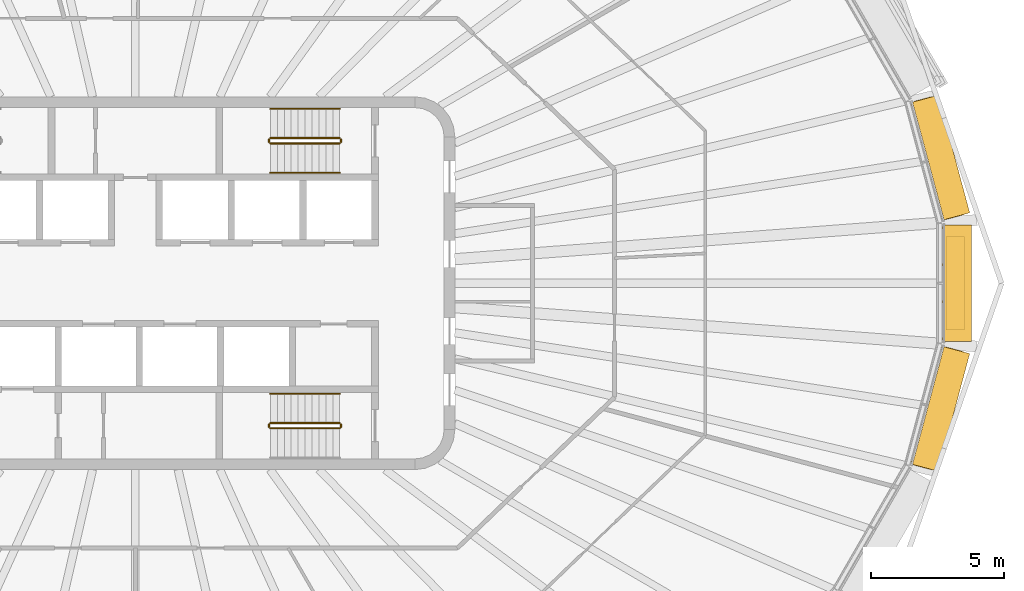
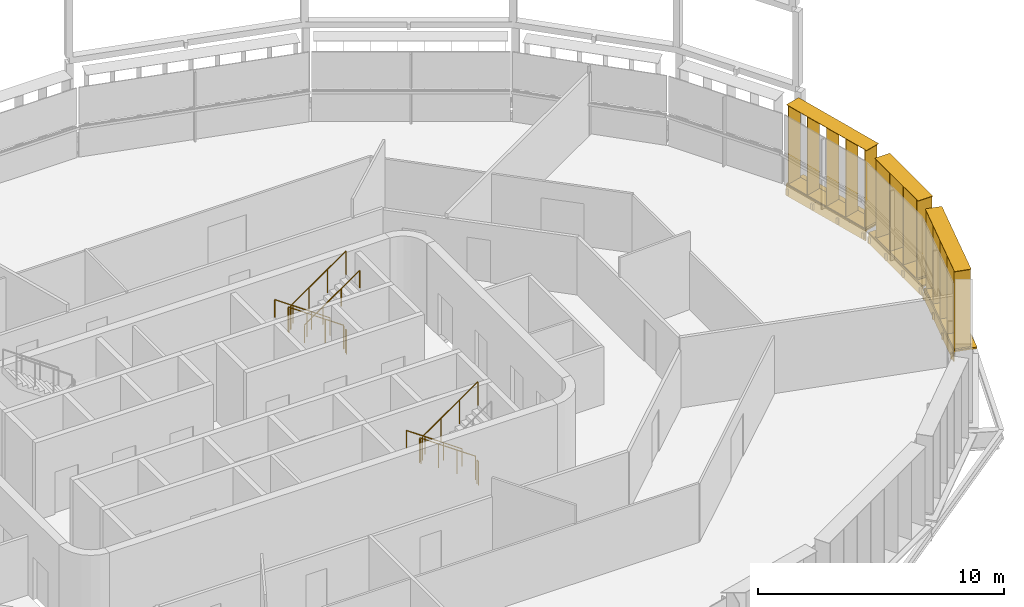
# One storey, part 18 of 20: 11 railings, 6 shading devices.
"""IFC4 building model written with IfcOpenShell, lengths in metres."""

from ifc_helpers import new_model, si_unit, direction, frame, origin, origin_2d, place, context, subcontext, project, spatial, rectangle, circle, extrude, material, type_object, element, save


model = new_model("IFC4")

# Units and contexts
model_context = context("Model", 3, precision=1e-05, world=origin(), true_north=direction((0.0, 1.0)))
body_context = subcontext(model_context, "Body", "Model", "MODEL_VIEW")
ifc_project = project(units=[si_unit("LENGTHUNIT", "METRE"), si_unit("AREAUNIT", "SQUARE_METRE"), si_unit("VOLUMEUNIT", "CUBIC_METRE"), si_unit("PLANEANGLEUNIT", "RADIAN"), si_unit("MASSUNIT", "GRAM", prefix="KILO")], contexts=[model_context])

# Site, building, storey
site_placement = place(None, origin())
site = spatial("IfcSite", under=ifc_project, at=site_placement, CompositionType="ELEMENT")
building_placement = place(site_placement, origin())
building = spatial("IfcBuilding", under=site, at=building_placement, Name="Sahrelin Media Tower", CompositionType="ELEMENT")
storey_placement = place(building_placement, frame((0.0, 0.0, 255.0)))
storey = spatial("IfcBuildingStorey", under=building, at=storey_placement, Name="L55", CompositionType="ELEMENT", Elevation=255.0)

# Shading devices
ifc_material_1 = material(Name="Champagne anodised aluminium 6063-T6", Category="aluminium")
shading_device_type_1 = type_object("IfcShadingDeviceType", Name="Fin cassette", PredefinedType="USERDEFINED", material=ifc_material_1)
placement_1 = place(storey_placement, frame((30.376953125, 0.0, 0.0), z_axis=(0.0, 0.0, 1.0), x_axis=(0.0, -1.0, 0.0)))
element("IfcShadingDevice", 1, at=placement_1, inside=storey, type_object=shading_device_type_1, Name="L55:FIN:L55-00", ObjectType="FIN", PredefinedType="USERDEFINED", context=body_context, shape_type="SweptSolid", body=[
    extrude(rectangle(XDim=3.5, YDim=0.699951171875, at=origin_2d()), frame((0.0, 0.419921875, 0.0)), (0.0, 0.0, 1.0), 0.02001953125),
    extrude(rectangle(XDim=3.5, YDim=0.699951171875, at=origin_2d()), frame((0.0, 0.419921875, 3.89990234375)), (0.0, 0.0, 1.0), 0.02001953125),
    extrude(rectangle(XDim=0.02001953125, YDim=0.699951171875, at=origin_2d()), frame((-1.64990234375, 0.419921875, 0.010009765625), z_axis=(0.0, 0.0, 1.0), x_axis=(1.0, 0.0, 0.0)), (0.0, 0.0, 1.0), 3.89990234375),
    extrude(rectangle(XDim=0.02001953125, YDim=0.699951171875, at=origin_2d()), frame((-0.550048828125, 0.419921875, 0.010009765625), z_axis=(0.0, 0.0, 1.0), x_axis=(1.0, 0.0, 0.0)), (0.0, 0.0, 1.0), 3.89990234375),
    extrude(rectangle(XDim=0.02001953125, YDim=0.699951171875, at=origin_2d()), frame((0.550048828125, 0.419921875, 0.010009765625), z_axis=(0.0, 0.0, 1.0), x_axis=(1.0, 0.0, 0.0)), (0.0, 0.0, 1.0), 3.89990234375),
    extrude(rectangle(XDim=0.02001953125, YDim=0.699951171875, at=origin_2d()), frame((1.64990234375, 0.419921875, 0.010009765625), z_axis=(0.0, 0.0, 1.0), x_axis=(1.0, 0.0, 0.0)), (0.0, 0.0, 1.0), 3.89990234375),
])
placement_2 = place(storey_placement, frame((29.759033203125, 4.588623046875, 0.0), z_axis=(0.0, 0.0, 1.0), x_axis=(0.258807731996, -0.965928857556, 0.0)))
element("IfcShadingDevice", 2, at=placement_2, inside=storey, type_object=shading_device_type_1, Name="L55:FIN:L55-01", ObjectType="FIN", PredefinedType="USERDEFINED", context=body_context, shape_type="SweptSolid", body=[
    extrude(rectangle(XDim=4.60009765625, YDim=0.699951171875, at=origin_2d()), frame((0.0, 0.419921875, 0.0)), (0.0, 0.0, 1.0), 0.02001953125),
    extrude(rectangle(XDim=4.60009765625, YDim=0.699951171875, at=origin_2d()), frame((0.0, 0.419921875, 3.89990234375)), (0.0, 0.0, 1.0), 0.02001953125),
    extrude(rectangle(XDim=0.02001953125, YDim=0.699951171875, at=origin_2d()), frame((-2.199951171875, 0.419921875, 0.010009765625), z_axis=(0.0, 0.0, 1.0), x_axis=(1.0, 0.0, 0.0)), (0.0, 0.0, 1.0), 3.89990234375),
    extrude(rectangle(XDim=0.02001953125, YDim=0.699951171875, at=origin_2d()), frame((-1.10009765625, 0.419921875, 0.010009765625), z_axis=(0.0, 0.0, 1.0), x_axis=(1.0, 0.0, 0.0)), (0.0, 0.0, 1.0), 3.89990234375),
    extrude(rectangle(XDim=0.02001953125, YDim=0.699951171875, at=origin_2d()), frame((0.0, 0.419921875, 0.010009765625), z_axis=(0.0, 0.0, 1.0), x_axis=(1.0, 0.0, 0.0)), (0.0, 0.0, 1.0), 3.89990234375),
    extrude(rectangle(XDim=0.02001953125, YDim=0.699951171875, at=origin_2d()), frame((1.10009765625, 0.419921875, 0.010009765625), z_axis=(0.0, 0.0, 1.0), x_axis=(1.0, 0.0, 0.0)), (0.0, 0.0, 1.0), 3.89990234375),
    extrude(rectangle(XDim=0.02001953125, YDim=0.699951171875, at=origin_2d()), frame((2.199951171875, 0.419921875, 0.010009765625), z_axis=(0.0, 0.0, 1.0), x_axis=(1.0, 0.0, 0.0)), (0.0, 0.0, 1.0), 3.89990234375),
])
placement_3 = place(storey_placement, frame((29.759033203125, -4.588623046875, 0.0), z_axis=(0.0, 0.0, 1.0), x_axis=(-0.258807731996, -0.965928857556, 0.0)))
element("IfcShadingDevice", 3, at=placement_3, inside=storey, type_object=shading_device_type_1, Name="L55:FIN:L55-23", ObjectType="FIN", PredefinedType="USERDEFINED", context=body_context, shape_type="SweptSolid", body=[
    extrude(rectangle(XDim=4.60009765625, YDim=0.699951171875, at=origin_2d()), frame((0.0, 0.419921875, 0.0)), (0.0, 0.0, 1.0), 0.02001953125),
    extrude(rectangle(XDim=4.60009765625, YDim=0.699951171875, at=origin_2d()), frame((0.0, 0.419921875, 3.89990234375)), (0.0, 0.0, 1.0), 0.02001953125),
    extrude(rectangle(XDim=0.02001953125, YDim=0.699951171875, at=origin_2d()), frame((-2.199951171875, 0.419921875, 0.010009765625), z_axis=(0.0, 0.0, 1.0), x_axis=(1.0, 0.0, 0.0)), (0.0, 0.0, 1.0), 3.89990234375),
    extrude(rectangle(XDim=0.02001953125, YDim=0.699951171875, at=origin_2d()), frame((-1.10009765625, 0.419921875, 0.010009765625), z_axis=(0.0, 0.0, 1.0), x_axis=(1.0, 0.0, 0.0)), (0.0, 0.0, 1.0), 3.89990234375),
    extrude(rectangle(XDim=0.02001953125, YDim=0.699951171875, at=origin_2d()), frame((0.0, 0.419921875, 0.010009765625), z_axis=(0.0, 0.0, 1.0), x_axis=(1.0, 0.0, 0.0)), (0.0, 0.0, 1.0), 3.89990234375),
    extrude(rectangle(XDim=0.02001953125, YDim=0.699951171875, at=origin_2d()), frame((1.10009765625, 0.419921875, 0.010009765625), z_axis=(0.0, 0.0, 1.0), x_axis=(1.0, 0.0, 0.0)), (0.0, 0.0, 1.0), 3.89990234375),
    extrude(rectangle(XDim=0.02001953125, YDim=0.699951171875, at=origin_2d()), frame((2.199951171875, 0.419921875, 0.010009765625), z_axis=(0.0, 0.0, 1.0), x_axis=(1.0, 0.0, 0.0)), (0.0, 0.0, 1.0), 3.89990234375),
])

# Railings
ifc_material_2 = material(Name="Steel S355", Category="steel")
railing_type_1 = type_object("IfcRailingType", Name="Stair guard 1200", PredefinedType="GUARDRAIL", material=ifc_material_2)
railing_1_placement = place(storey_placement, frame((7.675048828125, 5.449951171875, 0.181884765625)))
element("IfcRailing", 4, at=railing_1_placement, inside=storey, type_object=railing_type_1, Name="L55 ST3 stair guard 1", PredefinedType="GUARDRAIL", context=body_context, shape_type="SweptSolid", body=[
    extrude(circle(Radius=0.02392578125, at=origin_2d()), frame((0.0, 0.0, 1.17578125), z_axis=(-0.819521025635, 0.0, 0.573049115296), x_axis=(0.0, -1.0, 0.0)), (0.0, 0.0, 1.0), 3.172607421875),
    extrude(circle(Radius=0.02099609375, at=origin_2d()), origin(), (0.0, 0.0, 1.0), 1.15185546875),
    extrude(circle(Radius=0.02099609375, at=origin_2d()), frame((-0.86669921875, 0.0, 0.60595703125)), (0.0, 0.0, 1.0), 1.15185546875),
    extrude(circle(Radius=0.02099609375, at=origin_2d()), frame((-1.7333984375, 0.0, 1.212158203125)), (0.0, 0.0, 1.0), 1.15185546875),
    extrude(circle(Radius=0.02099609375, at=origin_2d()), frame((-2.60009765625, 0.0, 1.818115234375)), (0.0, 0.0, 1.0), 1.15185546875),
])
railing_2_placement = place(storey_placement, frame((5.02490234375, 5.39990234375, 2.0)))
element("IfcRailing", 5, at=railing_2_placement, inside=storey, type_object=railing_type_1, Name="L55 ST3 stair guard 2", PredefinedType="GUARDRAIL", context=body_context, shape_type="SweptSolid", body=[
    extrude(circle(Radius=0.02392578125, at=origin_2d()), frame((0.0, 0.0, 1.17578125), z_axis=(0.0, -1.0, 0.0), x_axis=(1.0, 0.0, 0.0)), (0.0, 0.0, 1.0), 0.099853515625),
    extrude(circle(Radius=0.02099609375, at=origin_2d()), origin(), (0.0, 0.0, 1.0), 1.15185546875),
    extrude(circle(Radius=0.02099609375, at=origin_2d()), frame((0.0, -0.099853515625, 0.0)), (0.0, 0.0, 1.0), 1.15185546875),
])
railing_3_placement = place(storey_placement, frame((5.074951171875, 5.25, 2.181884765625)))
element("IfcRailing", 6, at=railing_3_placement, inside=storey, type_object=railing_type_1, Name="L55 ST3 stair guard 3", PredefinedType="GUARDRAIL", context=body_context, shape_type="SweptSolid", body=[
    extrude(circle(Radius=0.02392578125, at=origin_2d()), frame((0.0, 0.0, 1.17578125), z_axis=(0.819521025635, 0.0, 0.573049115296), x_axis=(0.0, 1.0, 0.0)), (0.0, 0.0, 1.0), 3.172607421875),
    extrude(circle(Radius=0.02099609375, at=origin_2d()), origin(), (0.0, 0.0, 1.0), 1.15185546875),
    extrude(circle(Radius=0.02099609375, at=origin_2d()), frame((0.86669921875, 0.0, 0.60595703125)), (0.0, 0.0, 1.0), 1.15185546875),
    extrude(circle(Radius=0.02099609375, at=origin_2d()), frame((1.7333984375, 0.0, 1.212158203125)), (0.0, 0.0, 1.0), 1.15185546875),
    extrude(circle(Radius=0.02099609375, at=origin_2d()), frame((2.60009765625, 0.0, 1.818115234375)), (0.0, 0.0, 1.0), 1.15185546875),
])
railing_4_placement = place(storey_placement, frame((7.72509765625, 5.39990234375, 0.0)))
element("IfcRailing", 7, at=railing_4_placement, inside=storey, type_object=railing_type_1, Name="L55 ST3 stair guard 4", PredefinedType="GUARDRAIL", context=body_context, shape_type="SweptSolid", body=[
    extrude(circle(Radius=0.02392578125, at=origin_2d()), frame((0.0, 0.0, 1.17578125), z_axis=(0.0, -1.0, 0.0), x_axis=(1.0, 0.0, 0.0)), (0.0, 0.0, 1.0), 0.099853515625),
    extrude(circle(Radius=0.02099609375, at=origin_2d()), origin(), (0.0, 0.0, 1.0), 1.15185546875),
    extrude(circle(Radius=0.02099609375, at=origin_2d()), frame((0.0, -0.099853515625, 0.0)), (0.0, 0.0, 1.0), 1.15185546875),
])
railing_5_placement = place(storey_placement, frame((7.675048828125, -5.25, 0.181884765625)))
element("IfcRailing", 8, at=railing_5_placement, inside=storey, type_object=railing_type_1, Name="L55 ST2 stair guard 1", PredefinedType="GUARDRAIL", context=body_context, shape_type="SweptSolid", body=[
    extrude(circle(Radius=0.02392578125, at=origin_2d()), frame((0.0, 0.0, 1.17578125), z_axis=(-0.819521025635, 0.0, 0.573049115296), x_axis=(0.0, -1.0, 0.0)), (0.0, 0.0, 1.0), 3.172607421875),
    extrude(circle(Radius=0.02099609375, at=origin_2d()), origin(), (0.0, 0.0, 1.0), 1.15185546875),
    extrude(circle(Radius=0.02099609375, at=origin_2d()), frame((-0.86669921875, 0.0, 0.60595703125)), (0.0, 0.0, 1.0), 1.15185546875),
    extrude(circle(Radius=0.02099609375, at=origin_2d()), frame((-1.7333984375, 0.0, 1.212158203125)), (0.0, 0.0, 1.0), 1.15185546875),
    extrude(circle(Radius=0.02099609375, at=origin_2d()), frame((-2.60009765625, 0.0, 1.818115234375)), (0.0, 0.0, 1.0), 1.15185546875),
])
railing_6_placement = place(storey_placement, frame((5.02490234375, -5.300048828125, 2.0)))
element("IfcRailing", 9, at=railing_6_placement, inside=storey, type_object=railing_type_1, Name="L55 ST2 stair guard 2", PredefinedType="GUARDRAIL", context=body_context, shape_type="SweptSolid", body=[
    extrude(circle(Radius=0.02392578125, at=origin_2d()), frame((0.0, 0.0, 1.17578125), z_axis=(0.0, -1.0, 0.0), x_axis=(1.0, 0.0, 0.0)), (0.0, 0.0, 1.0), 0.099853515625),
    extrude(circle(Radius=0.02099609375, at=origin_2d()), origin(), (0.0, 0.0, 1.0), 1.15185546875),
    extrude(circle(Radius=0.02099609375, at=origin_2d()), frame((0.0, -0.099853515625, 0.0)), (0.0, 0.0, 1.0), 1.15185546875),
])
railing_7_placement = place(storey_placement, frame((5.074951171875, -5.449951171875, 2.181884765625)))
element("IfcRailing", 10, at=railing_7_placement, inside=storey, type_object=railing_type_1, Name="L55 ST2 stair guard 3", PredefinedType="GUARDRAIL", context=body_context, shape_type="SweptSolid", body=[
    extrude(circle(Radius=0.02392578125, at=origin_2d()), frame((0.0, 0.0, 1.17578125), z_axis=(0.819521025635, 0.0, 0.573049115296), x_axis=(0.0, 1.0, 0.0)), (0.0, 0.0, 1.0), 3.172607421875),
    extrude(circle(Radius=0.02099609375, at=origin_2d()), origin(), (0.0, 0.0, 1.0), 1.15185546875),
    extrude(circle(Radius=0.02099609375, at=origin_2d()), frame((0.86669921875, 0.0, 0.60595703125)), (0.0, 0.0, 1.0), 1.15185546875),
    extrude(circle(Radius=0.02099609375, at=origin_2d()), frame((1.7333984375, 0.0, 1.212158203125)), (0.0, 0.0, 1.0), 1.15185546875),
    extrude(circle(Radius=0.02099609375, at=origin_2d()), frame((2.60009765625, 0.0, 1.818115234375)), (0.0, 0.0, 1.0), 1.15185546875),
])
railing_8_placement = place(storey_placement, frame((7.72509765625, -5.300048828125, 0.0)))
element("IfcRailing", 11, at=railing_8_placement, inside=storey, type_object=railing_type_1, Name="L55 ST2 stair guard 4", PredefinedType="GUARDRAIL", context=body_context, shape_type="SweptSolid", body=[
    extrude(circle(Radius=0.02392578125, at=origin_2d()), frame((0.0, 0.0, 1.17578125), z_axis=(0.0, -1.0, 0.0), x_axis=(1.0, 0.0, 0.0)), (0.0, 0.0, 1.0), 0.099853515625),
    extrude(circle(Radius=0.02099609375, at=origin_2d()), origin(), (0.0, 0.0, 1.0), 1.15185546875),
    extrude(circle(Radius=0.02099609375, at=origin_2d()), frame((0.0, -0.099853515625, 0.0)), (0.0, 0.0, 1.0), 1.15185546875),
])
railing_type_2 = type_object("IfcRailingType", Name="Stair handrail 900", PredefinedType="HANDRAIL", material=ifc_material_2)
railing_9_placement = place(storey_placement, frame((7.675048828125, 6.550048828125, 0.181884765625)))
element("IfcRailing", 12, at=railing_9_placement, inside=storey, type_object=railing_type_2, Name="L55 ST3 stair handrail 1", PredefinedType="HANDRAIL", context=body_context, shape_type="SweptSolid", body=[
    extrude(circle(Radius=0.02392578125, at=origin_2d()), frame((0.0, 0.0, 0.8759765625), z_axis=(-0.819521025635, 0.0, 0.573049115296), x_axis=(0.0, -1.0, 0.0)), (0.0, 0.0, 1.0), 3.172607421875),
    extrude(circle(Radius=0.02099609375, at=origin_2d()), origin(), (0.0, 0.0, 1.0), 0.851806640625),
    extrude(circle(Radius=0.02099609375, at=origin_2d()), frame((-0.86669921875, 0.0, 0.60595703125)), (0.0, 0.0, 1.0), 0.851806640625),
    extrude(circle(Radius=0.02099609375, at=origin_2d()), frame((-1.7333984375, 0.0, 1.212158203125)), (0.0, 0.0, 1.0), 0.851806640625),
    extrude(circle(Radius=0.02099609375, at=origin_2d()), frame((-2.60009765625, 0.0, 1.818115234375)), (0.0, 0.0, 1.0), 0.851806640625),
])
railing_10_placement = place(storey_placement, frame((5.074951171875, 4.14990234375, 2.181884765625)))
element("IfcRailing", 13, at=railing_10_placement, inside=storey, type_object=railing_type_2, Name="L55 ST3 stair handrail 2", PredefinedType="HANDRAIL", context=body_context, shape_type="SweptSolid", body=[
    extrude(circle(Radius=0.02392578125, at=origin_2d()), frame((0.0, 0.0, 0.8759765625), z_axis=(0.819521025635, 0.0, 0.573049115296), x_axis=(0.0, 1.0, 0.0)), (0.0, 0.0, 1.0), 3.172607421875),
    extrude(circle(Radius=0.02099609375, at=origin_2d()), origin(), (0.0, 0.0, 1.0), 0.851806640625),
    extrude(circle(Radius=0.02099609375, at=origin_2d()), frame((0.86669921875, 0.0, 0.60595703125)), (0.0, 0.0, 1.0), 0.851806640625),
    extrude(circle(Radius=0.02099609375, at=origin_2d()), frame((1.7333984375, 0.0, 1.212158203125)), (0.0, 0.0, 1.0), 0.851806640625),
    extrude(circle(Radius=0.02099609375, at=origin_2d()), frame((2.60009765625, 0.0, 1.818115234375)), (0.0, 0.0, 1.0), 0.851806640625),
])
railing_11_placement = place(storey_placement, frame((7.675048828125, -4.14990234375, 0.181884765625)))
element("IfcRailing", 14, at=railing_11_placement, inside=storey, type_object=railing_type_2, Name="L55 ST2 stair handrail 1", PredefinedType="HANDRAIL", context=body_context, shape_type="SweptSolid", body=[
    extrude(circle(Radius=0.02392578125, at=origin_2d()), frame((0.0, 0.0, 0.8759765625), z_axis=(-0.819521025635, 0.0, 0.573049115296), x_axis=(0.0, -1.0, 0.0)), (0.0, 0.0, 1.0), 3.172607421875),
    extrude(circle(Radius=0.02099609375, at=origin_2d()), origin(), (0.0, 0.0, 1.0), 0.851806640625),
    extrude(circle(Radius=0.02099609375, at=origin_2d()), frame((-0.86669921875, 0.0, 0.60595703125)), (0.0, 0.0, 1.0), 0.851806640625),
    extrude(circle(Radius=0.02099609375, at=origin_2d()), frame((-1.7333984375, 0.0, 1.212158203125)), (0.0, 0.0, 1.0), 0.851806640625),
    extrude(circle(Radius=0.02099609375, at=origin_2d()), frame((-2.60009765625, 0.0, 1.818115234375)), (0.0, 0.0, 1.0), 0.851806640625),
])

# Shading devices
shading_device_type_2 = type_object("IfcShadingDeviceType", Name="Sunshade band", PredefinedType="USERDEFINED", material=ifc_material_1)
element("IfcShadingDevice", 15, at=placement_1, inside=storey, type_object=shading_device_type_2, Name="L55:SUN:L55-00", ObjectType="SUNSHADE", PredefinedType="USERDEFINED", context=body_context, shape_type="SweptSolid", body=[
    extrude(rectangle(XDim=4.3662109375, YDim=0.050048828125, at=origin_2d()), frame((0.0, 0.044921875, -0.55126953125)), (0.0, 0.0, 1.0), 0.471435546875),
    extrude(rectangle(XDim=4.3662109375, YDim=1.0, at=origin_2d()), frame((0.0, 0.52001953125, -0.080078125)), (0.0, 0.0, 1.0), 0.080078125),
    extrude(rectangle(XDim=0.10009765625, YDim=0.074951171875, at=origin_2d()), frame((-2.0830078125, -0.017578125, -0.47021484375)), (0.0, 0.0, 1.0), 0.300048828125),
    extrude(rectangle(XDim=0.10009765625, YDim=0.074951171875, at=origin_2d()), frame((-0.6943359375, -0.017578125, -0.47021484375)), (0.0, 0.0, 1.0), 0.300048828125),
    extrude(rectangle(XDim=0.10009765625, YDim=0.074951171875, at=origin_2d()), frame((0.6943359375, -0.017578125, -0.47021484375)), (0.0, 0.0, 1.0), 0.300048828125),
    extrude(rectangle(XDim=0.10009765625, YDim=0.074951171875, at=origin_2d()), frame((2.0830078125, -0.017578125, -0.47021484375)), (0.0, 0.0, 1.0), 0.300048828125),
])
element("IfcShadingDevice", 16, at=placement_2, inside=storey, type_object=shading_device_type_2, Name="L55:SUN:L55-01", ObjectType="SUNSHADE", PredefinedType="USERDEFINED", context=body_context, shape_type="SweptSolid", body=[
    extrude(rectangle(XDim=4.57373046875, YDim=0.050048828125, at=origin_2d()), frame((0.0, 0.044921875, -0.55126953125)), (0.0, 0.0, 1.0), 0.471435546875),
    extrude(rectangle(XDim=4.57373046875, YDim=1.0, at=origin_2d()), frame((0.0, 0.52001953125, -0.080078125)), (0.0, 0.0, 1.0), 0.080078125),
    extrude(rectangle(XDim=0.10009765625, YDim=0.074951171875, at=origin_2d()), frame((-2.186767578125, -0.017578125, -0.47021484375)), (0.0, 0.0, 1.0), 0.300048828125),
    extrude(rectangle(XDim=0.10009765625, YDim=0.074951171875, at=origin_2d()), frame((-0.72900390625, -0.017578125, -0.47021484375)), (0.0, 0.0, 1.0), 0.300048828125),
    extrude(rectangle(XDim=0.10009765625, YDim=0.074951171875, at=origin_2d()), frame((0.72900390625, -0.017578125, -0.47021484375)), (0.0, 0.0, 1.0), 0.300048828125),
    extrude(rectangle(XDim=0.10009765625, YDim=0.074951171875, at=origin_2d()), frame((2.186767578125, -0.017578125, -0.47021484375)), (0.0, 0.0, 1.0), 0.300048828125),
])
element("IfcShadingDevice", 17, at=placement_3, inside=storey, type_object=shading_device_type_2, Name="L55:SUN:L55-23", ObjectType="SUNSHADE", PredefinedType="USERDEFINED", context=body_context, shape_type="SweptSolid", body=[
    extrude(rectangle(XDim=4.57373046875, YDim=0.050048828125, at=origin_2d()), frame((0.0, 0.044921875, -0.55126953125)), (0.0, 0.0, 1.0), 0.471435546875),
    extrude(rectangle(XDim=4.57373046875, YDim=1.0, at=origin_2d()), frame((0.0, 0.52001953125, -0.080078125)), (0.0, 0.0, 1.0), 0.080078125),
    extrude(rectangle(XDim=0.10009765625, YDim=0.074951171875, at=origin_2d()), frame((-2.186767578125, -0.017578125, -0.47021484375)), (0.0, 0.0, 1.0), 0.300048828125),
    extrude(rectangle(XDim=0.10009765625, YDim=0.074951171875, at=origin_2d()), frame((-0.72900390625, -0.017578125, -0.47021484375)), (0.0, 0.0, 1.0), 0.300048828125),
    extrude(rectangle(XDim=0.10009765625, YDim=0.074951171875, at=origin_2d()), frame((0.72900390625, -0.017578125, -0.47021484375)), (0.0, 0.0, 1.0), 0.300048828125),
    extrude(rectangle(XDim=0.10009765625, YDim=0.074951171875, at=origin_2d()), frame((2.186767578125, -0.017578125, -0.47021484375)), (0.0, 0.0, 1.0), 0.300048828125),
])

save(model, "model.ifc")
